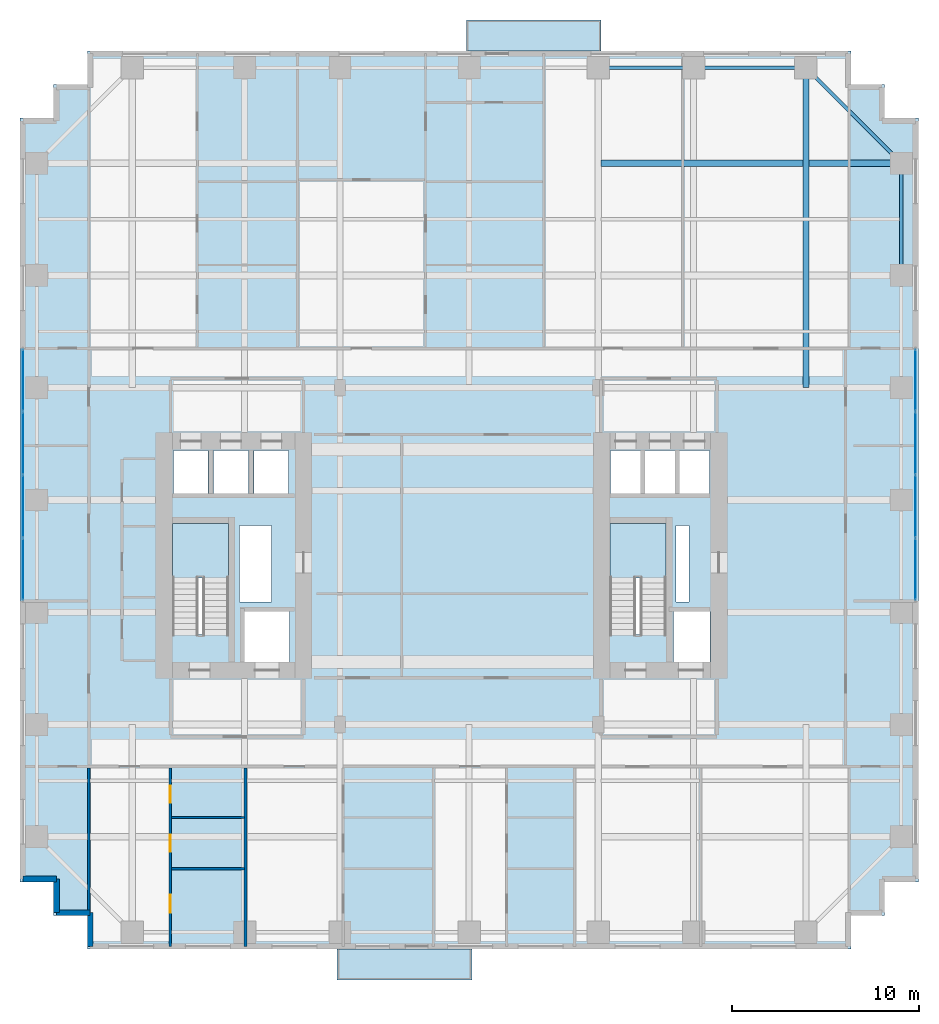
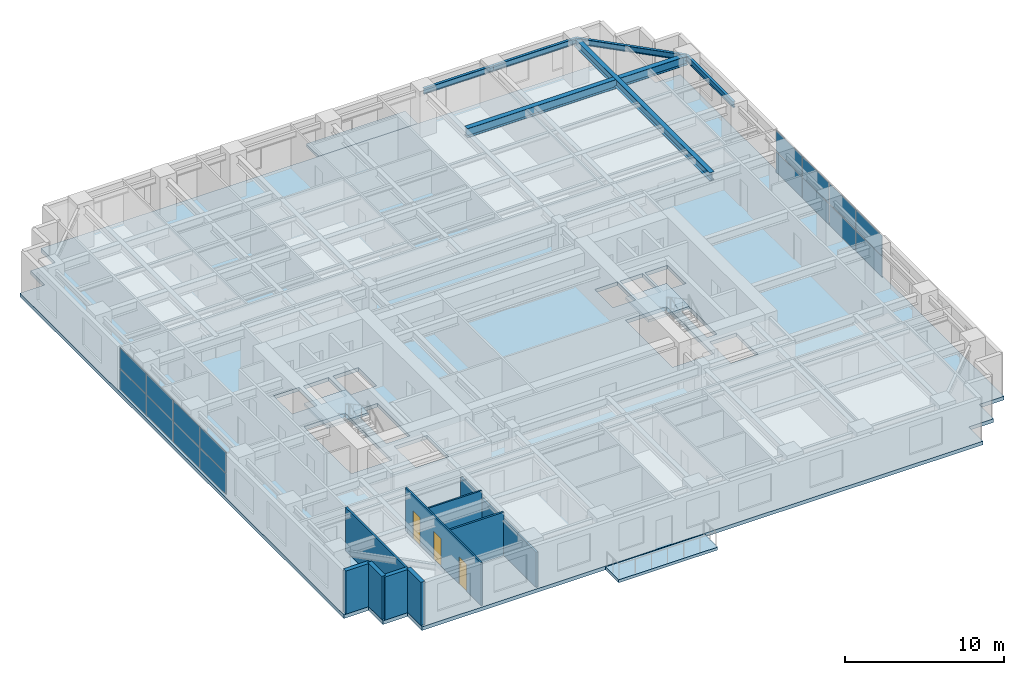
# One storey, part 10 of 19: 16 plates, 9 walls, 6 beams, 5 slabs, 3 doors, 3 openings, 4 elements without a shape of their own.
"""IFC4 building model written with IfcOpenShell, lengths in metres."""

from ifc_helpers import new_model, si_unit, direction, frame, frame_2d, origin, origin_2d, place, context, subcontext, project, spatial, polyline, rectangle, i_section, outline, extrude, source, transform, mapped, material, layer, layer_set, material_profile, profile_set, type_object, element, fill, aggregate, save


model = new_model("IFC4")

# Units and contexts
model_context = context("Model", 3, precision=1e-05, world=origin(), true_north=direction((0.0, 1.0)))
body_context = subcontext(model_context, "Body", "Model", "MODEL_VIEW")
ifc_project = project(units=[si_unit("LENGTHUNIT", "METRE"), si_unit("AREAUNIT", "SQUARE_METRE"), si_unit("VOLUMEUNIT", "CUBIC_METRE"), si_unit("PLANEANGLEUNIT", "RADIAN"), si_unit("MASSUNIT", "GRAM", prefix="KILO")], contexts=[model_context])

# Site, building, storey
site_placement = place(None, origin())
site = spatial("IfcSite", under=ifc_project, at=site_placement, CompositionType="ELEMENT")
building_placement = place(site_placement, origin())
building = spatial("IfcBuilding", under=site, at=building_placement, Name="Khoralis Quay Care Tower", CompositionType="ELEMENT")
storey_placement = place(building_placement, frame((0.0, 0.0, 69.300048828125)))
storey = spatial("IfcBuildingStorey", under=building, at=storey_placement, Name="L18", CompositionType="ELEMENT", Elevation=69.300048828125)

# Beams
ifc_material_1 = material(Name="Steel S355", Category="steel")
ifc_material_profile_1 = material_profile(ifc_material_1, i_section(OverallWidth=0.18994140625, OverallDepth=0.449951171875, WebThickness=0.009521484375, FlangeThickness=0.0146484375, FilletRadius=0.02099609375, at=origin_2d()), Name="Steel S355")
ifc_profile_set_1 = profile_set([ifc_material_profile_1], Name="Steel S355")
beam_type_1 = type_object("IfcBeamType", Name="BM-IPE450", PredefinedType="SPANDREL", material=ifc_profile_set_1)
shared_shape_1 = source(origin(), body_context, "Body", "SweptSolid", [
    extrude(i_section(OverallWidth=0.18994140625, OverallDepth=0.449951171875, WebThickness=0.009521484375, FlangeThickness=0.0146484375, FilletRadius=0.02099609375, at=origin_2d()), origin(), (0.0, 0.0, 1.0), 6.0),
])
for number, where, z_axis, x_axis, name in (
    (1, (36.0, 47.10009765625, 3.094970703125), (1.0, 0.0, 0.0), (0.0, 1.0, 0.0), "BM-TSP-L18-12"),
    (2, (47.10009765625, 36.0, 3.094970703125), (0.0, 1.0, 0.0), (-1.0, 0.0, 0.0), "BM-TSP-L18-24"),
):
    element("IfcBeam", number, at=place(storey_placement, frame(where, z_axis=z_axis, x_axis=x_axis)), inside=storey, type_object=beam_type_1, Name=name, PredefinedType="SPANDREL", context=body_context, shape_type="MappedRepresentation", body=[
        mapped(shared_shape_1, transform((0.0, 0.0, 0.0), scale=1.0)),
    ])
shared_shape_2 = source(origin(), body_context, "Body", "SweptSolid", [
    extrude(i_section(OverallWidth=0.18994140625, OverallDepth=0.449951171875, WebThickness=0.009521484375, FlangeThickness=0.0146484375, FilletRadius=0.02099609375, at=origin_2d()), origin(), (0.0, 0.0, 1.0), 5.10009765625),
])
beam_1_placement = place(storey_placement, frame((30.89990234375, 47.10009765625, 3.094970703125), z_axis=(1.0, 0.0, 0.0), x_axis=(0.0, 1.0, 0.0)))
element("IfcBeam", 3, at=beam_1_placement, inside=storey, type_object=beam_type_1, Name="BM-TSP-L18-11", PredefinedType="SPANDREL", context=body_context, shape_type="MappedRepresentation", body=[
    mapped(shared_shape_2, transform((0.0, 0.0, 0.0), scale=1.0)),
])
shared_shape_3 = source(origin(), body_context, "Body", "SweptSolid", [
    extrude(i_section(OverallWidth=0.18994140625, OverallDepth=0.449951171875, WebThickness=0.009521484375, FlangeThickness=0.0146484375, FilletRadius=0.02099609375, at=origin_2d()), origin(), (0.0, 0.0, 1.0), 7.212646484375),
])
beam_2_placement = place(storey_placement, frame((42.0, 47.10009765625, 3.094970703125), z_axis=(0.707106781187, -0.707106781187, 0.0), x_axis=(0.707106781187, 0.707106781187, 0.0)))
element("IfcBeam", 4, at=beam_2_placement, inside=storey, type_object=beam_type_1, Name="BM-TCR-L18-28", PredefinedType="SPANDREL", context=body_context, shape_type="MappedRepresentation", body=[
    mapped(shared_shape_3, transform((0.0, 0.0, 0.0), scale=1.0)),
])
ifc_material_profile_2 = material_profile(ifc_material_1, i_section(OverallWidth=0.35498046875, OverallDepth=0.695068359375, WebThickness=0.015380859375, FlangeThickness=0.02490234375, FilletRadius=0.02001953125, at=origin_2d()), Name="Steel S355")
ifc_profile_set_2 = profile_set([ifc_material_profile_2], Name="Steel S355")
beam_type_2 = type_object("IfcBeamType", Name="BM-W690X217", PredefinedType="BEAM", material=ifc_profile_set_2)
shared_shape_4 = source(origin(), body_context, "Body", "SweptSolid", [
    extrude(i_section(OverallWidth=0.35498046875, OverallDepth=0.695068359375, WebThickness=0.015380859375, FlangeThickness=0.02490234375, FilletRadius=0.02001953125, at=origin_2d()), origin(), (0.0, 0.0, 1.0), 16.049560546875),
])
beam_3_placement = place(storey_placement, frame((31.050537109375, 42.0, 2.972412109375), z_axis=(1.0, 0.0, 0.0), x_axis=(0.0, 1.0, 0.0)))
element("IfcBeam", 5, at=beam_3_placement, inside=storey, type_object=beam_type_2, Name="BM-TGXE-L18-420", PredefinedType="BEAM", context=body_context, shape_type="MappedRepresentation", body=[
    mapped(shared_shape_4, transform((0.0, 0.0, 0.0), scale=1.0)),
])
ifc_material_profile_3 = material_profile(ifc_material_1, i_section(OverallWidth=0.324951171875, OverallDepth=0.615966796875, WebThickness=0.013916015625, FlangeThickness=0.021484375, FilletRadius=0.01806640625, at=origin_2d()), Name="Steel S355")
ifc_profile_set_3 = profile_set([ifc_material_profile_3], Name="Steel S355")
beam_type_3 = type_object("IfcBeamType", Name="BM-W610X174", PredefinedType="BEAM", material=ifc_profile_set_3)
shared_shape_5 = source(origin(), body_context, "Body", "SweptSolid", [
    extrude(i_section(OverallWidth=0.324951171875, OverallDepth=0.615966796875, WebThickness=0.013916015625, FlangeThickness=0.021484375, FilletRadius=0.01806640625, at=origin_2d()), origin(), (0.0, 0.0, 1.0), 17.10009765625),
])
beam_4_placement = place(storey_placement, frame((42.0, 30.0, 3.011962890625), z_axis=(0.0, 1.0, 0.0), x_axis=(-1.0, 0.0, 0.0)))
element("IfcBeam", 6, at=beam_4_placement, inside=storey, type_object=beam_type_3, Name="BM-TGYN-L18-420", PredefinedType="BEAM", context=body_context, shape_type="MappedRepresentation", body=[
    mapped(shared_shape_5, transform((0.0, 0.0, 0.0), scale=1.0)),
])

# Slabs
ifc_material_2 = material(Name="Concrete C45/55", Category="concrete")
ifc_layer_1 = layer(ifc_material_2, 0.219970703125)
ifc_layer_set_1 = layer_set([ifc_layer_1], Name="Concrete C45/55")
slab_type_1 = type_object("IfcSlabType", Name="SLB-EXT-BALC-220", PredefinedType="FLOOR", material=ifc_layer_set_1)
slab_1_placement = place(storey_placement, frame((0.0, 0.0, -0.280029296875)))
element("IfcSlab", 7, at=slab_1_placement, inside=storey, type_object=slab_type_1, Name="L18 Senior Loggia Balcony Slab P1E0", PredefinedType="FLOOR", context=body_context, shape_type="SweptSolid", body=[
    extrude(outline(polyline([(16.949951171875, -1.64990234375), (24.14990234375, -1.64990234375), (24.14990234375, 0.0), (16.949951171875, 0.0), (16.949951171875, -1.64990234375)])), origin(), (0.0, 0.0, 1.0), 0.219970703125),
])
slab_2_placement = place(storey_placement, frame((0.0, 0.0, -0.280029296875)))
element("IfcSlab", 8, at=slab_2_placement, inside=storey, type_object=slab_type_1, Name="L18 Senior Loggia Balcony Slab P1E10", PredefinedType="FLOOR", context=body_context, shape_type="SweptSolid", body=[
    extrude(outline(polyline([(23.85009765625, 48.0), (31.050048828125, 48.0), (31.050048828125, 49.64990234375), (23.85009765625, 49.64990234375), (23.85009765625, 48.0)])), origin(), (0.0, 0.0, 1.0), 0.219970703125),
])

# Stair, slab
ifc_material_3 = material(Name="Precast concrete C45/55", Category="concrete")
stair_type = type_object("IfcStairType", Name="ST-TWR-DOGLEG-1400", PredefinedType="HALF_TURN_STAIR", material=ifc_material_3)
stair_1_placement = place(storey_placement, origin())
stair_1 = element("IfcStair", 9, at=stair_1_placement, inside=storey, type_object=stair_type, Name="L18 West Core Exit Stair ST-T1", PredefinedType="HALF_TURN_STAIR")
ifc_layer_2 = layer(ifc_material_3, 0.199951171875)
ifc_layer_set_2 = layer_set([ifc_layer_2], Name="Precast concrete C45/55")
slab_type_2 = type_object("IfcSlabType", Name="SLB-LANDING-200", PredefinedType="LANDING", material=ifc_layer_set_2)
slab_3_placement = place(storey_placement, frame((0.0, 0.0, 1.599853515625)))
slab_3 = element("IfcSlab", 10, at=slab_3_placement, type_object=slab_type_2, Name="ST-T1 landing 1", PredefinedType="LANDING", context=body_context, shape_type="SweptSolid", body=[
    extrude(outline(polyline([(11.14990234375, 19.840087890625), (11.14990234375, 22.75), (8.14990234375, 22.75), (8.14990234375, 19.840087890625), (11.14990234375, 19.840087890625)])), origin(), (0.0, 0.0, 1.0), 0.2001953125),
])
aggregate(stair_1, [slab_3])

stair_2_placement = place(storey_placement, origin())
stair_2 = element("IfcStair", 11, at=stair_2_placement, inside=storey, type_object=stair_type, Name="L18 East Core Exit Stair ST-T2", PredefinedType="HALF_TURN_STAIR")
slab_4_placement = place(storey_placement, frame((0.0, 0.0, 1.599853515625)))
slab_4 = element("IfcSlab", 12, at=slab_4_placement, type_object=slab_type_2, Name="ST-T2 landing 1", PredefinedType="LANDING", context=body_context, shape_type="SweptSolid", body=[
    extrude(outline(polyline([(34.52001953125, 19.840087890625), (34.52001953125, 22.75), (31.52001953125, 22.75), (31.52001953125, 19.840087890625), (34.52001953125, 19.840087890625)])), origin(), (0.0, 0.0, 1.0), 0.2001953125),
])
aggregate(stair_2, [slab_4])

# Slab
ifc_material_4 = material(Name="Concrete C40/50", Category="concrete")
ifc_layer_3 = layer(ifc_material_4, 0.280029296875)
ifc_layer_set_3 = layer_set([ifc_layer_3], Name="Concrete C40/50")
slab_type_3 = type_object("IfcSlabType", Name="SLB-TWR-280", PredefinedType="FLOOR", material=ifc_layer_set_3)
slab_5_placement = place(storey_placement, frame((0.0, 0.0, -0.280029296875)))
element("IfcSlab", 13, at=slab_5_placement, inside=storey, type_object=slab_type_3, Name="Tower Floor Slab L18", PredefinedType="FLOOR", context=body_context, shape_type="SweptSolid", body=[
    extrude(outline(polyline([(3.60009765625, 0.0), (44.39990234375, 0.0), (44.39990234375, 1.800048828125), (46.199951171875, 1.800048828125), (46.199951171875, 3.60009765625), (48.0, 3.60009765625), (48.0, 44.39990234375), (46.199951171875, 44.39990234375), (46.199951171875, 46.199951171875), (44.39990234375, 46.199951171875), (44.39990234375, 48.0), (3.60009765625, 48.0), (3.60009765625, 46.199951171875), (1.800048828125, 46.199951171875), (1.800048828125, 44.39990234375), (0.0, 44.39990234375), (0.0, 3.60009765625), (1.800048828125, 3.60009765625), (1.800048828125, 1.800048828125), (3.60009765625, 1.800048828125), (3.60009765625, 0.0)]), holes=[polyline([(11.14990234375, 16.800048828125), (11.14990234375, 22.75), (8.14990234375, 22.75), (8.14990234375, 16.800048828125), (11.14990234375, 16.800048828125)]), polyline([(34.52001953125, 16.800048828125), (34.52001953125, 22.75), (31.52001953125, 22.75), (31.52001953125, 16.800048828125), (34.52001953125, 16.800048828125)]), polyline([(12.0, 15.35009765625), (14.39990234375, 15.35009765625), (14.39990234375, 18.050048828125), (12.0, 18.050048828125), (12.0, 15.35009765625)]), polyline([(34.919921875, 15.35009765625), (36.8798828125, 15.35009765625), (36.8798828125, 18.050048828125), (34.919921875, 18.050048828125), (34.919921875, 15.35009765625)]), polyline([(8.199951171875, 24.35009765625), (10.050048828125, 24.35009765625), (10.050048828125, 26.64990234375), (8.199951171875, 26.64990234375), (8.199951171875, 24.35009765625)]), polyline([(31.550048828125, 24.35009765625), (33.199951171875, 24.35009765625), (33.199951171875, 26.64990234375), (31.550048828125, 26.64990234375), (31.550048828125, 24.35009765625)]), polyline([(10.35009765625, 24.35009765625), (12.199951171875, 24.35009765625), (12.199951171875, 26.64990234375), (10.35009765625, 26.64990234375), (10.35009765625, 24.35009765625)]), polyline([(33.3798828125, 24.35009765625), (35.030029296875, 24.35009765625), (35.030029296875, 26.64990234375), (33.3798828125, 26.64990234375), (33.3798828125, 24.35009765625)]), polyline([(12.5, 24.35009765625), (14.35009765625, 24.35009765625), (14.35009765625, 26.64990234375), (12.5, 26.64990234375), (12.5, 24.35009765625)]), polyline([(35.199951171875, 24.35009765625), (36.85009765625, 24.35009765625), (36.85009765625, 26.64990234375), (35.199951171875, 26.64990234375), (35.199951171875, 24.35009765625)]), polyline([(11.719970703125, 18.550048828125), (13.449951171875, 18.550048828125), (13.449951171875, 22.64990234375), (11.719970703125, 22.64990234375), (11.719970703125, 18.550048828125)]), polyline([(35.050048828125, 18.550048828125), (35.75, 18.550048828125), (35.75, 22.64990234375), (35.050048828125, 22.64990234375), (35.050048828125, 18.550048828125)])]), origin(), (0.0, 0.0, 1.0), 0.280029296875),
])

# Curtain wall, plates
ifc_material_5 = material(Name="Pale anodised aluminium", Category="aluminium")
ifc_layer_4 = layer(ifc_material_5, 0.179931640625)
ifc_layer_set_4 = layer_set([ifc_layer_4], Name="Pale anodised aluminium")
curtain_wall_type = type_object("IfcCurtainWallType", Name="CW-SYS-Z1", PredefinedType="NOTDEFINED", material=ifc_layer_set_4)
curtain_wall_1_placement = place(storey_placement, origin())
curtain_wall_1 = element("IfcCurtainWall", 14, at=curtain_wall_1_placement, inside=storey, type_object=curtain_wall_type, Name="L18 Unitised Curtain Wall CW-L18-P1-E5", PredefinedType="NOTDEFINED")
ifc_material_6 = material(Name="Low-E solar-control double glazing", Category="glass")
ifc_layer_5 = layer(ifc_material_6, 0.031982421875)
ifc_layer_set_5 = layer_set([ifc_layer_5], Name="Low-E solar-control double glazing")
plate_type = type_object("IfcPlateType", Name="PNL-VIS-32", PredefinedType="CURTAIN_PANEL", material=ifc_layer_set_5)
shared_shape_6 = source(origin(), body_context, "Body", "SweptSolid", [
    extrude(rectangle(XDim=3.284912109375, YDim=0.028076171875, at=origin_2d()), origin(), (0.0, 0.0, 1.0), 1.570068359375),
])
plate_1_placement = place(storey_placement, frame((47.85009765625, 20.302490234375, 0.06005859375), z_axis=(0.0, 0.0, 1.0), x_axis=(0.0, 1.0, 0.0)))
plate_1 = element("IfcPlate", 15, at=plate_1_placement, type_object=plate_type, Name="CW1 panel 1.1", PredefinedType="CURTAIN_PANEL", context=body_context, shape_type="MappedRepresentation", body=[
    mapped(shared_shape_6, transform((0.0, 0.0, 0.0), scale=1.0)),
])
plate_2_placement = place(storey_placement, frame((47.85009765625, 20.302490234375, 1.68994140625), z_axis=(0.0, 0.0, 1.0), x_axis=(0.0, 1.0, 0.0)))
plate_2 = element("IfcPlate", 16, at=plate_2_placement, type_object=plate_type, Name="CW1 panel 1.2", PredefinedType="CURTAIN_PANEL", context=body_context, shape_type="MappedRepresentation", body=[
    mapped(shared_shape_6, transform((0.0, 0.0, 0.0), scale=1.0)),
])
plate_3_placement = place(storey_placement, frame((47.85009765625, 30.3974609375, 0.06005859375), z_axis=(0.0, 0.0, 1.0), x_axis=(0.0, 1.0, 0.0)))
plate_3 = element("IfcPlate", 17, at=plate_3_placement, type_object=plate_type, Name="CW1 panel 4.1", PredefinedType="CURTAIN_PANEL", context=body_context, shape_type="MappedRepresentation", body=[
    mapped(shared_shape_6, transform((0.0, 0.0, 0.0), scale=1.0)),
])
plate_4_placement = place(storey_placement, frame((47.85009765625, 30.3974609375, 1.68994140625), z_axis=(0.0, 0.0, 1.0), x_axis=(0.0, 1.0, 0.0)))
plate_4 = element("IfcPlate", 18, at=plate_4_placement, type_object=plate_type, Name="CW1 panel 4.2", PredefinedType="CURTAIN_PANEL", context=body_context, shape_type="MappedRepresentation", body=[
    mapped(shared_shape_6, transform((0.0, 0.0, 0.0), scale=1.0)),
])

curtain_wall_2_placement = place(storey_placement, origin())
curtain_wall_2 = element("IfcCurtainWall", 19, at=curtain_wall_2_placement, inside=storey, type_object=curtain_wall_type, Name="L18 Unitised Curtain Wall CW-L18-P1-E15", PredefinedType="NOTDEFINED")
plate_5_placement = place(storey_placement, frame((0.14990234375, 30.3974609375, 0.06005859375), z_axis=(0.0, 0.0, 1.0), x_axis=(0.0, -1.0, 0.0)))
plate_5 = element("IfcPlate", 20, at=plate_5_placement, type_object=plate_type, Name="CW1 panel 1.1", PredefinedType="CURTAIN_PANEL", context=body_context, shape_type="MappedRepresentation", body=[
    mapped(shared_shape_6, transform((0.0, 0.0, 0.0), scale=1.0)),
])
plate_6_placement = place(storey_placement, frame((0.14990234375, 30.3974609375, 1.68994140625), z_axis=(0.0, 0.0, 1.0), x_axis=(0.0, -1.0, 0.0)))
plate_6 = element("IfcPlate", 21, at=plate_6_placement, type_object=plate_type, Name="CW1 panel 1.2", PredefinedType="CURTAIN_PANEL", context=body_context, shape_type="MappedRepresentation", body=[
    mapped(shared_shape_6, transform((0.0, 0.0, 0.0), scale=1.0)),
])
plate_7_placement = place(storey_placement, frame((0.14990234375, 20.302490234375, 0.06005859375), z_axis=(0.0, 0.0, 1.0), x_axis=(0.0, -1.0, 0.0)))
plate_7 = element("IfcPlate", 22, at=plate_7_placement, type_object=plate_type, Name="CW1 panel 4.1", PredefinedType="CURTAIN_PANEL", context=body_context, shape_type="MappedRepresentation", body=[
    mapped(shared_shape_6, transform((0.0, 0.0, 0.0), scale=1.0)),
])
plate_8_placement = place(storey_placement, frame((0.14990234375, 20.302490234375, 1.68994140625), z_axis=(0.0, 0.0, 1.0), x_axis=(0.0, -1.0, 0.0)))
plate_8 = element("IfcPlate", 23, at=plate_8_placement, type_object=plate_type, Name="CW1 panel 4.2", PredefinedType="CURTAIN_PANEL", context=body_context, shape_type="MappedRepresentation", body=[
    mapped(shared_shape_6, transform((0.0, 0.0, 0.0), scale=1.0)),
])

# Plate
shared_shape_7 = source(origin(), body_context, "Body", "SweptSolid", [
    extrude(rectangle(XDim=3.31494140625, YDim=0.028076171875, at=origin_2d()), origin(), (0.0, 0.0, 1.0), 1.570068359375),
])
plate_9_placement = place(storey_placement, frame((47.85009765625, 23.66259765625, 0.06005859375), z_axis=(0.0, 0.0, 1.0), x_axis=(0.0, 1.0, 0.0)))
plate_9 = element("IfcPlate", 24, at=plate_9_placement, type_object=plate_type, Name="CW1 panel 2.1", PredefinedType="CURTAIN_PANEL", context=body_context, shape_type="MappedRepresentation", body=[
    mapped(shared_shape_7, transform((0.0, 0.0, 0.0), scale=1.0)),
])

plate_10_placement = place(storey_placement, frame((47.85009765625, 23.66259765625, 1.68994140625), z_axis=(0.0, 0.0, 1.0), x_axis=(0.0, 1.0, 0.0)))
plate_10 = element("IfcPlate", 25, at=plate_10_placement, type_object=plate_type, Name="CW1 panel 2.2", PredefinedType="CURTAIN_PANEL", context=body_context, shape_type="MappedRepresentation", body=[
    mapped(shared_shape_7, transform((0.0, 0.0, 0.0), scale=1.0)),
])

plate_11_placement = place(storey_placement, frame((47.85009765625, 27.03759765625, 0.06005859375), z_axis=(0.0, 0.0, 1.0), x_axis=(0.0, 1.0, 0.0)))
plate_11 = element("IfcPlate", 26, at=plate_11_placement, type_object=plate_type, Name="CW1 panel 3.1", PredefinedType="CURTAIN_PANEL", context=body_context, shape_type="MappedRepresentation", body=[
    mapped(shared_shape_7, transform((0.0, 0.0, 0.0), scale=1.0)),
])

plate_12_placement = place(storey_placement, frame((47.85009765625, 27.03759765625, 1.68994140625), z_axis=(0.0, 0.0, 1.0), x_axis=(0.0, 1.0, 0.0)))
plate_12 = element("IfcPlate", 27, at=plate_12_placement, type_object=plate_type, Name="CW1 panel 3.2", PredefinedType="CURTAIN_PANEL", context=body_context, shape_type="MappedRepresentation", body=[
    mapped(shared_shape_7, transform((0.0, 0.0, 0.0), scale=1.0)),
])

aggregate(curtain_wall_1, [plate_1, plate_2, plate_9, plate_10, plate_11, plate_12, plate_3, plate_4])

plate_13_placement = place(storey_placement, frame((0.14990234375, 27.03759765625, 0.06005859375), z_axis=(0.0, 0.0, 1.0), x_axis=(0.0, -1.0, 0.0)))
plate_13 = element("IfcPlate", 28, at=plate_13_placement, type_object=plate_type, Name="CW1 panel 2.1", PredefinedType="CURTAIN_PANEL", context=body_context, shape_type="MappedRepresentation", body=[
    mapped(shared_shape_7, transform((0.0, 0.0, 0.0), scale=1.0)),
])

plate_14_placement = place(storey_placement, frame((0.14990234375, 27.03759765625, 1.68994140625), z_axis=(0.0, 0.0, 1.0), x_axis=(0.0, -1.0, 0.0)))
plate_14 = element("IfcPlate", 29, at=plate_14_placement, type_object=plate_type, Name="CW1 panel 2.2", PredefinedType="CURTAIN_PANEL", context=body_context, shape_type="MappedRepresentation", body=[
    mapped(shared_shape_7, transform((0.0, 0.0, 0.0), scale=1.0)),
])

plate_15_placement = place(storey_placement, frame((0.14990234375, 23.66259765625, 0.06005859375), z_axis=(0.0, 0.0, 1.0), x_axis=(0.0, -1.0, 0.0)))
plate_15 = element("IfcPlate", 30, at=plate_15_placement, type_object=plate_type, Name="CW1 panel 3.1", PredefinedType="CURTAIN_PANEL", context=body_context, shape_type="MappedRepresentation", body=[
    mapped(shared_shape_7, transform((0.0, 0.0, 0.0), scale=1.0)),
])

plate_16_placement = place(storey_placement, frame((0.14990234375, 23.66259765625, 1.68994140625), z_axis=(0.0, 0.0, 1.0), x_axis=(0.0, -1.0, 0.0)))
plate_16 = element("IfcPlate", 31, at=plate_16_placement, type_object=plate_type, Name="CW1 panel 3.2", PredefinedType="CURTAIN_PANEL", context=body_context, shape_type="MappedRepresentation", body=[
    mapped(shared_shape_7, transform((0.0, 0.0, 0.0), scale=1.0)),
])

aggregate(curtain_wall_2, [plate_5, plate_6, plate_13, plate_14, plate_15, plate_16, plate_7, plate_8])

# Walls
ifc_layer_6 = layer(ifc_material_3, 0.300048828125)
ifc_layer_set_6 = layer_set([ifc_layer_6], Name="Precast concrete C45/55")
wall_type_1 = type_object("IfcWallType", Name="WL-EXT-REF-300", PredefinedType="SOLIDWALL", material=ifc_layer_set_6)
for number, where, z_axis, x_axis, name in (
    (32, (0.14990234375, 3.75, 0.0), (0.0, 0.0, 1.0), (1.0, 0.0, 0.0), "L18 External Facade Wall WL-EXT-L18-P1-C16"),
    (33, (1.949951171875, 3.75, 0.0), (0.0, 0.0, 1.0), (0.0, -1.0, 0.0), "L18 External Facade Wall WL-EXT-L18-P1-C17"),
    (34, (1.949951171875, 1.949951171875, 0.0), (0.0, 0.0, 1.0), (1.0, 0.0, 0.0), "L18 External Facade Wall WL-EXT-L18-P1-C18"),
    (35, (3.75, 1.949951171875, 0.0), (0.0, 0.0, 1.0), (0.0, -1.0, 0.0), "L18 External Facade Wall WL-EXT-L18-P1-C19"),
):
    element("IfcWall", number, at=place(storey_placement, frame(where, z_axis=z_axis, x_axis=x_axis)), inside=storey, type_object=wall_type_1, Name=name, PredefinedType="SOLIDWALL", context=body_context, shape_type="SweptSolid", body=[
        extrude(rectangle(XDim=1.800048828125, YDim=0.300048828125, at=frame_2d((0.89990234375, 0.0))), origin(), (0.0, 0.0, 1.0), 3.320068359375),
    ])

# Wall, openings, doors
ifc_material_7 = material(Name="Gypsum plasterboard on acoustic metal stud")
ifc_layer_7 = layer(ifc_material_7, 0.114990234375)
ifc_layer_set_7 = layer_set([ifc_layer_7], Name="Gypsum plasterboard on acoustic metal stud")
wall_type_2 = type_object("IfcWallType", Name="WL-PART-115", PredefinedType="PARTITIONING", material=ifc_layer_set_7)
wall_1_placement = place(storey_placement, frame((8.031982421875, 0.14501953125, 0.0), z_axis=(0.0, 0.0, 1.0), x_axis=(0.0, 1.0, 0.0)))
wall_1 = element("IfcWall", 36, at=wall_1_placement, inside=storey, type_object=wall_type_2, Name="L18 Unit 0 Internal Wall", PredefinedType="PARTITIONING", context=body_context, shape_type="SweptSolid", body=[
    extrude(rectangle(XDim=9.53759765625, YDim=0.114990234375, at=frame_2d((4.768798828125, 0.0))), origin(), (0.0, 0.0, 1.0), 3.320068359375),
])
opening_1_placement = place(wall_1_placement, frame((1.802001953125, 0.0, 0.0)))
opening_1 = element("IfcOpeningElement", 37, at=opening_1_placement, cuts=wall_1, Name="Opening ID1", PredefinedType="OPENING", context=body_context, shape_type="SweptSolid", body=[
    extrude(rectangle(XDim=0.949951171875, YDim=2.10009765625, at=frame_2d((0.47509765625, 1.050048828125))), frame((0.0, 0.0673828125, 0.0), z_axis=(0.0, -1.0, 0.0), x_axis=(1.0, 0.0, 0.0)), (0.0, 0.0, 1.0), 0.135009765625),
])
opening_2_placement = place(wall_1_placement, frame((5.0654296875, 0.0, 0.0)))
opening_2 = element("IfcOpeningElement", 38, at=opening_2_placement, cuts=wall_1, Name="Opening WD1", PredefinedType="OPENING", context=body_context, shape_type="SweptSolid", body=[
    extrude(rectangle(XDim=0.89990234375, YDim=2.10009765625, at=frame_2d((0.449951171875, 1.050048828125))), frame((0.0, 0.0673828125, 0.0), z_axis=(0.0, -1.0, 0.0), x_axis=(1.0, 0.0, 0.0)), (0.0, 0.0, 1.0), 0.135009765625),
])
opening_3_placement = place(wall_1_placement, frame((7.68359375, 0.0, 0.0)))
opening_3 = element("IfcOpeningElement", 39, at=opening_3_placement, cuts=wall_1, Name="Opening WD1", PredefinedType="OPENING", context=body_context, shape_type="SweptSolid", body=[
    extrude(rectangle(XDim=0.89990234375, YDim=2.10009765625, at=frame_2d((0.449951171875, 1.050048828125))), frame((0.0, 0.0673828125, 0.0), z_axis=(0.0, -1.0, 0.0), x_axis=(1.0, 0.0, 0.0)), (0.0, 0.0, 1.0), 0.135009765625),
])
ifc_material_8 = material(Name="Acoustic hardwood timber", Category="wood")
door_type_1 = type_object("IfcDoorType", Name="DR-BATH-900X2100", OperationType="NOTDEFINED", PredefinedType="DOOR", material=ifc_material_8)
shared_shape_8 = source(origin(), body_context, "Body", "SweptSolid", [
    extrude(rectangle(XDim=0.89990234375, YDim=2.10009765625, at=frame_2d((0.449951171875, 1.050048828125))), frame((0.0, 0.02490234375, 0.0), z_axis=(0.0, -1.0, 0.0), x_axis=(1.0, 0.0, 0.0)), (0.0, 0.0, 1.0), 0.050048828125),
])
door_1_placement = place(opening_2_placement, frame((0.89990234375, 0.0, 0.0), z_axis=(0.0, 0.0, 1.0), x_axis=(-1.0, 0.0, 0.0)))
door_1 = element("IfcDoor", 40, at=door_1_placement, inside=storey, type_object=door_type_1, Name="L18 Apartment SB0 KIT Door", OperationType="SINGLE_SWING_RIGHT", OverallHeight=2.10009765625, OverallWidth=0.89990234375, PredefinedType="DOOR", context=body_context, shape_type="MappedRepresentation", body=[
    mapped(shared_shape_8, transform((0.0, 0.0, 0.0), scale=1.0)),
])
fill(opening_2, door_1)
door_2_placement = place(opening_3_placement, frame((0.89990234375, 0.0, 0.0), z_axis=(0.0, 0.0, 1.0), x_axis=(-1.0, 0.0, 0.0)))
door_2 = element("IfcDoor", 41, at=door_2_placement, inside=storey, type_object=door_type_1, Name="L18 Apartment SB0 BTH Door", OperationType="SINGLE_SWING_LEFT", OverallHeight=2.10009765625, OverallWidth=0.89990234375, PredefinedType="DOOR", context=body_context, shape_type="MappedRepresentation", body=[
    mapped(shared_shape_8, transform((0.0, 0.0, 0.0), scale=1.0)),
])
fill(opening_3, door_2)
door_type_2 = type_object("IfcDoorType", Name="DR-ROOM-950X2100", OperationType="NOTDEFINED", PredefinedType="DOOR", material=ifc_material_8)
shared_shape_9 = source(origin(), body_context, "Body", "SweptSolid", [
    extrude(rectangle(XDim=0.949951171875, YDim=2.10009765625, at=frame_2d((0.47509765625, 1.050048828125))), frame((0.0, 0.02490234375, 0.0), z_axis=(0.0, -1.0, 0.0), x_axis=(1.0, 0.0, 0.0)), (0.0, 0.0, 1.0), 0.050048828125),
])
door_3_placement = place(opening_1_placement, frame((0.949951171875, 0.0, 0.0), z_axis=(0.0, 0.0, 1.0), x_axis=(-1.0, 0.0, 0.0)))
door_3 = element("IfcDoor", 42, at=door_3_placement, inside=storey, type_object=door_type_2, Name="L18 Apartment SB0 BED Door", OperationType="SINGLE_SWING_LEFT", OverallHeight=2.10009765625, OverallWidth=0.949951171875, PredefinedType="DOOR", context=body_context, shape_type="MappedRepresentation", body=[
    mapped(shared_shape_9, transform((0.0, 0.0, 0.0), scale=1.0)),
])
fill(opening_1, door_3)

# Walls
wall_2_placement = place(storey_placement, frame((8.08447265625, 7.027099609375, 0.0), z_axis=(0.0, 0.0, 1.0), x_axis=(1.0, 0.0, 0.0)))
element("IfcWall", 43, at=wall_2_placement, inside=storey, type_object=wall_type_2, Name="L18 Unit 0 Kitchen Wall", PredefinedType="PARTITIONING", context=body_context, shape_type="SweptSolid", body=[
    extrude(rectangle(XDim=3.900634765625, YDim=0.114990234375, at=frame_2d((1.9501953125, 0.0))), origin(), (0.0, 0.0, 1.0), 3.320068359375),
])
ifc_material_9 = material(Name="Moisture-resistant gypsum and ceramic tile")
ifc_layer_8 = layer(ifc_material_9, 0.280029296875)
ifc_layer_set_8 = layer_set([ifc_layer_8], Name="Moisture-resistant gypsum and ceramic tile")
wall_type_3 = type_object("IfcWallType", Name="WL-PLUMB-280", PredefinedType="PLUMBINGWALL", material=ifc_layer_set_8)
wall_3_placement = place(storey_placement, frame((8.08447265625, 4.2939453125, 0.0), z_axis=(0.0, 0.0, 1.0), x_axis=(1.0, 0.0, 0.0)))
element("IfcWall", 44, at=wall_3_placement, inside=storey, type_object=wall_type_3, Name="L18 Unit 0 Wet Wall", PredefinedType="PLUMBINGWALL", context=body_context, shape_type="SweptSolid", body=[
    extrude(rectangle(XDim=3.900634765625, YDim=0.139892578125, at=frame_2d((1.9501953125, 0.0))), origin(), (0.0, 0.0, 1.0), 3.320068359375),
])
ifc_layer_9 = layer(ifc_material_7, 0.139892578125)
ifc_layer_set_9 = layer_set([ifc_layer_9], Name="Gypsum plasterboard on acoustic metal stud")
wall_type_4 = type_object("IfcWallType", Name="WL-UNIT-140", PredefinedType="PARTITIONING", material=ifc_layer_set_9)
wall_4_placement = place(storey_placement, frame((3.679931640625, 1.945068359375, 0.0), z_axis=(0.0, 0.0, 1.0), x_axis=(0.0, 1.0, 0.0)))
element("IfcWall", 45, at=wall_4_placement, inside=storey, type_object=wall_type_4, Name="L18 SB Demising Wall 0", PredefinedType="PARTITIONING", context=body_context, shape_type="SweptSolid", body=[
    extrude(rectangle(XDim=7.737548828125, YDim=0.139892578125, at=frame_2d((3.86865234375, 0.0))), origin(), (0.0, 0.0, 1.0), 3.320068359375),
])
wall_5_placement = place(storey_placement, frame((12.050048828125, 0.14501953125, 0.0), z_axis=(0.0, 0.0, 1.0), x_axis=(0.0, 1.0, 0.0)))
element("IfcWall", 46, at=wall_5_placement, inside=storey, type_object=wall_type_4, Name="L18 SB Demising Wall 1", PredefinedType="PARTITIONING", context=body_context, shape_type="SweptSolid", body=[
    extrude(rectangle(XDim=9.53759765625, YDim=0.139892578125, at=frame_2d((4.768798828125, 0.0))), origin(), (0.0, 0.0, 1.0), 2.703857421875),
])

save(model, "model.ifc")
